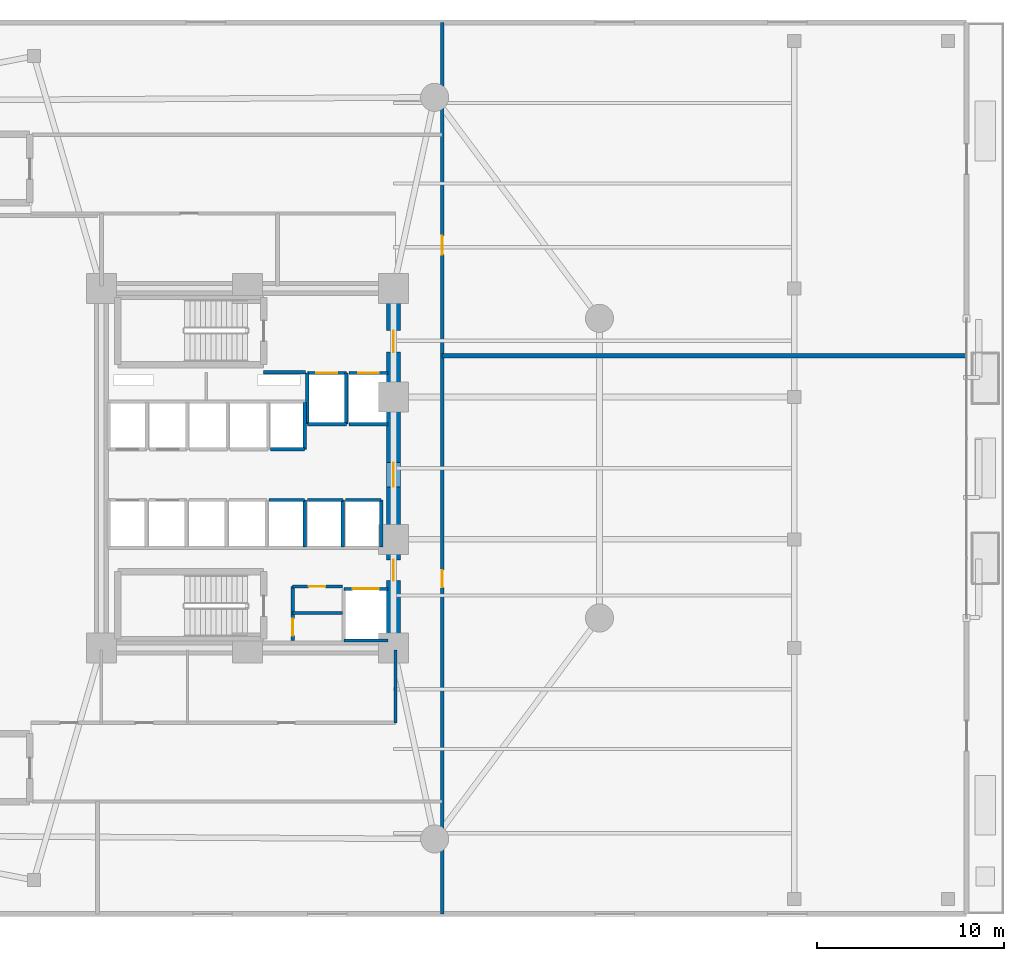
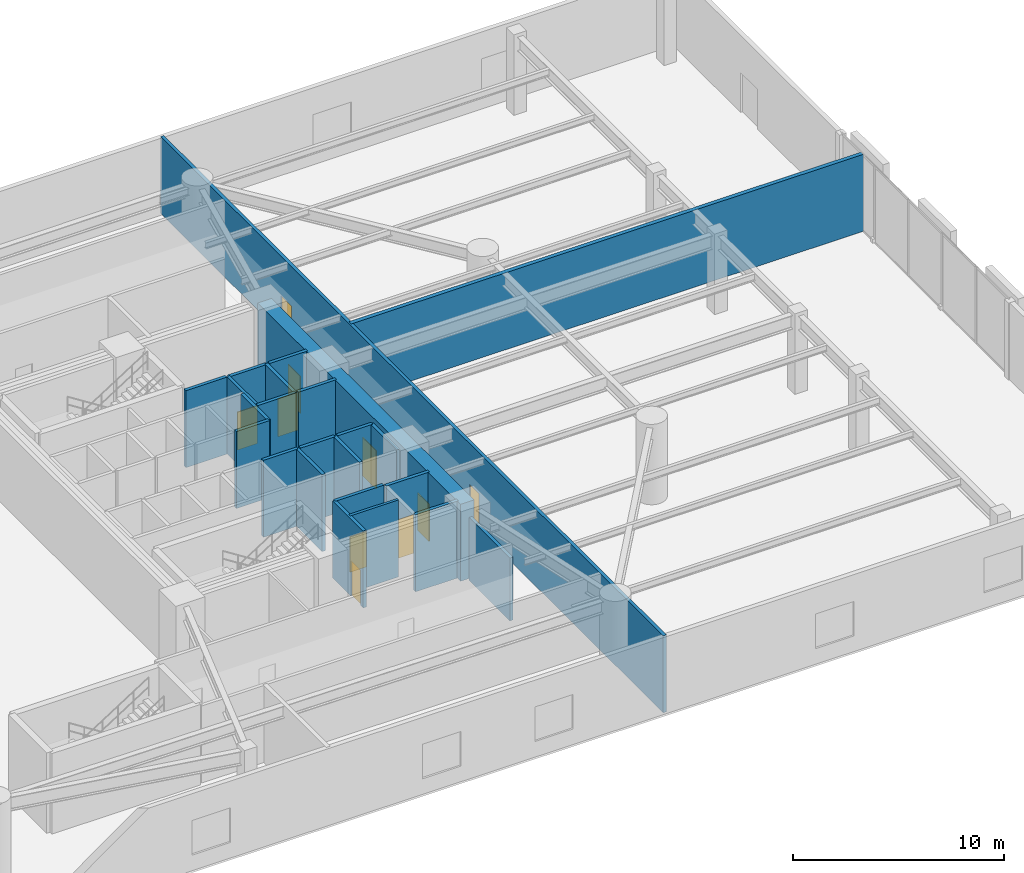
# One storey, part 10 of 15: 24 walls, 10 doors, 10 openings.
"""IFC4 building model written with IfcOpenShell, lengths in metres."""

import ifcopenshell
import ifcopenshell.guid

model = None  # the IFC model being written
_history = None  # IfcOwnerHistory: only IFC2X3 demands one
_inside = {}  # id of a spatial element -> (the spatial element, [elements in it])
_under = {}  # id of a project, library or spatial element -> (it, [spatial elements below it])
_declared = {}  # id of a project -> (the project, [libraries it declares])
_typed = {}  # id of a type object -> (the type object, [elements of that type])
_made_of = {}  # id of a material, layer set ... -> (it, [elements and type objects made of it])


def new_model(schema):
    """Start an empty IFC model of exactly this schema.

    Asked for "IFC4X3", IfcOpenShell would pick the latest addendum, in which some entities
    have other attributes; the version numbers below select the first issue.
    IFC2X3 requires an IfcOwnerHistory on every rooted entity: one is made here for all.
    """
    global model, _history
    if schema == "IFC4X3":
        model = ifcopenshell.file(schema_version=(4, 3, 0, 0))
    else:
        model = ifcopenshell.file(schema=schema)
    _inside.clear()
    _under.clear()
    _declared.clear()
    _typed.clear()
    _made_of.clear()
    _history = None
    if model.schema == "IFC2X3":
        org = make("IfcOrganization", Name="unknown")
        user = make(
            "IfcPersonAndOrganization",
            ThePerson=make("IfcPerson", FamilyName="unknown"),
            TheOrganization=org,
        )
        app = make(
            "IfcApplication",
            ApplicationDeveloper=org,
            Version="unknown",
            ApplicationFullName="unknown",
            ApplicationIdentifier="unknown",
        )
        _history = make(
            "IfcOwnerHistory",
            OwningUser=user,
            OwningApplication=app,
            ChangeAction="ADDED",
            CreationDate=0,
        )
    return model


def make(cls, **values):
    """One entity of the class cls with the attributes given. An attribute that is None is left unset."""
    return model.create_entity(
        cls, **{name: value for name, value in values.items() if value is not None}
    )


def rooted(cls, **values):
    """An entity with a GlobalId (a new one), such as an element, a storey or a relation."""
    return make(cls, GlobalId=ifcopenshell.guid.new(), OwnerHistory=_history, **values)


def si_unit(unit_type, name, prefix=None):
    """IfcSIUnit, for example si_unit("LENGTHUNIT", "METRE", prefix="MILLI")."""
    return make("IfcSIUnit", UnitType=unit_type, Prefix=prefix, Name=name)


def assignment(units):
    """IfcUnitAssignment: the units of a project."""
    return None if units is None else make("IfcUnitAssignment", Units=units)


def point(xyz):
    """IfcCartesianPoint."""
    return None if xyz is None else make("IfcCartesianPoint", Coordinates=xyz)


def direction(xyz):
    """IfcDirection."""
    return None if xyz is None else make("IfcDirection", DirectionRatios=xyz)


def frame(location, z_axis=None, x_axis=None):
    """IfcAxis2Placement3D, a coordinate frame: its origin and axes. An axis left out is left unset."""
    return make(
        "IfcAxis2Placement3D",
        Location=point(location),
        Axis=direction(z_axis),
        RefDirection=direction(x_axis),
    )


def frame_2d(location, x_axis=None):
    """IfcAxis2Placement2D, a coordinate frame in the plane: its origin and x axis."""
    return make(
        "IfcAxis2Placement2D", Location=point(location), RefDirection=direction(x_axis)
    )


def origin():
    """The frame at (0, 0, 0) with its axes left unset."""
    return frame((0.0, 0.0, 0.0))


def place(relative_to, where):
    """IfcLocalPlacement: puts the frame where relative to a parent placement (None: the world)."""
    return make(
        "IfcLocalPlacement", PlacementRelTo=relative_to, RelativePlacement=where
    )


def context(
    kind, dimensions, precision=None, world=None, true_north=None, identifier=None
):
    """IfcGeometricRepresentationContext, for example the 3D "Model" context."""
    return make(
        "IfcGeometricRepresentationContext",
        ContextIdentifier=identifier,
        ContextType=kind,
        CoordinateSpaceDimension=dimensions,
        Precision=precision,
        WorldCoordinateSystem=world,
        TrueNorth=true_north,
    )


def subcontext(parent, identifier, kind, view, scale=None):
    """IfcGeometricRepresentationSubContext, for example "Body" below "Model"."""
    return make(
        "IfcGeometricRepresentationSubContext",
        ContextIdentifier=identifier,
        ContextType=kind,
        ParentContext=parent,
        TargetScale=scale,
        TargetView=view,
    )


def project(units=None, contexts=None):
    """IfcProject with its units and contexts."""
    return rooted(
        "IfcProject",
        Name="project",
        RepresentationContexts=contexts,
        UnitsInContext=assignment(units),
    )


def spatial(cls, under=None, at=None, **own):
    """A site, building, storey or space (cls), placed at a placement, below another one or the project."""
    s = rooted(cls, ObjectPlacement=at, **own)
    if under is not None:
        _under.setdefault(under.id(), (under, []))[1].append(s)
    return s


def profile(cls, at=None, kind="AREA", **sizes):
    """A parametric profile (cls). Its sizes go by their IFC names, for example OverallWidth=200.0."""
    return make(cls, ProfileType=kind, Position=at, **sizes)


def rectangle(**sizes):
    """IfcRectangleProfileDef."""
    return profile("IfcRectangleProfileDef", **sizes)


def extrude(swept, where, along, depth):
    """IfcExtrudedAreaSolid: the profile swept, set in the frame where, extruded along a direction by depth."""
    return make(
        "IfcExtrudedAreaSolid",
        SweptArea=swept,
        Position=where,
        ExtrudedDirection=direction(along),
        Depth=depth,
    )


def shape(context_of_items, identifier, shape_type, items):
    """IfcShapeRepresentation: the items that make up one representation, for example the "Body"."""
    return make(
        "IfcShapeRepresentation",
        ContextOfItems=context_of_items,
        RepresentationIdentifier=identifier,
        RepresentationType=shape_type,
        Items=items,
    )


def material(Name=None, Category=None):
    """IfcMaterial."""
    return make("IfcMaterial", Name=Name, Category=Category)


def layer(
    of_material, thickness, ventilated=None, Name=None, Category=None, Priority=None
):
    """IfcMaterialLayer: one layer of a wall or slab, of a material (None: an air gap)."""
    return make(
        "IfcMaterialLayer",
        Material=of_material,
        LayerThickness=thickness,
        IsVentilated=ventilated,
        Name=Name,
        Category=Category,
        Priority=Priority,
    )


def layer_set(layers, Name=None):
    """IfcMaterialLayerSet."""
    return make("IfcMaterialLayerSet", MaterialLayers=layers, LayerSetName=Name)


def made_of(thing, what):
    """Note that an element or type object is made of a material, layer set ...; save() writes the relation."""
    if what is not None:
        _made_of.setdefault(what.id(), (what, []))[1].append(thing)
    return thing


def type_object(cls, material=None, **own):
    """A type object (cls), such as IfcWallType, which elements share."""
    return made_of(rooted(cls, **own), material)


def element(
    cls,
    number,
    at=None,
    inside=None,
    cuts=None,
    type_object=None,
    material=None,
    context=None,
    identifier="Body",
    shape_type=None,
    held_by="IfcProductDefinitionShape",
    body=None,
    shapes=None,
    **own,
):
    """One element of the class cls, such as IfcWall. Its Tag is "e" and its number.

    at: its placement. inside: the storey or other place that contains it. cuts: it is an
    opening in that element (IfcRelVoidsElement). A single representation is given by context,
    identifier, shape_type and body (its items); several are given by shapes. held_by: the class
    of the entity that holds the representations. save() writes the other relations.
    """
    e = rooted(cls, Tag="e%d" % number, ObjectPlacement=at, **own)
    if body is not None:
        shapes = [shape(context, identifier, shape_type, body)]
    if shapes is not None:
        e.Representation = make(held_by, Representations=shapes)
    if inside is not None:
        _inside.setdefault(inside.id(), (inside, []))[1].append(e)
    if cuts is not None:
        rooted(
            "IfcRelVoidsElement", RelatingBuildingElement=cuts, RelatedOpeningElement=e
        )
    if type_object is not None:
        _typed.setdefault(type_object.id(), (type_object, []))[1].append(e)
    return made_of(e, material)


def fill(opening, filler):
    """IfcRelFillsElement: the door or window that sits in an opening."""
    return rooted(
        "IfcRelFillsElement",
        RelatingOpeningElement=opening,
        RelatedBuildingElement=filler,
    )


def aggregate(whole, parts):
    """IfcRelAggregates: a whole, such as a stair, and the parts it consists of."""
    return rooted("IfcRelAggregates", RelatingObject=whole, RelatedObjects=parts)


def save(model, path):
    """Write the relations noted so far, then the file.

    IfcRelAggregates (storeys below a building ...), IfcRelContainedInSpatialStructure (elements
    in a storey), IfcRelDefinesByType, IfcRelAssociatesMaterial and IfcRelDeclares: one each for
    every whole, place, type object, material and project.
    """
    for whole, parts in _under.values():
        aggregate(whole, parts)
    for where, things in _inside.values():
        rooted(
            "IfcRelContainedInSpatialStructure",
            RelatedElements=things,
            RelatingStructure=where,
        )
    for kind, things in _typed.values():
        rooted("IfcRelDefinesByType", RelatedObjects=things, RelatingType=kind)
    for what, things in _made_of.values():
        rooted("IfcRelAssociatesMaterial", RelatedObjects=things, RelatingMaterial=what)
    for by, libraries in _declared.values():
        rooted("IfcRelDeclares", RelatingContext=by, RelatedDefinitions=libraries)
    model.write(path)


model = new_model("IFC4")

# Units and contexts
model_context = context("Model", 3, precision=1e-05, world=origin(), true_north=direction((0.0, 1.0)))
body_context = subcontext(model_context, "Body", "Model", "MODEL_VIEW")
ifc_project = project(units=[si_unit("LENGTHUNIT", "METRE"), si_unit("AREAUNIT", "SQUARE_METRE"), si_unit("VOLUMEUNIT", "CUBIC_METRE"), si_unit("PLANEANGLEUNIT", "RADIAN"), si_unit("MASSUNIT", "GRAM", prefix="KILO")], contexts=[model_context])

# Site, building, storey
site_placement = place(None, origin())
site = spatial("IfcSite", under=ifc_project, at=site_placement, CompositionType="ELEMENT")
building_placement = place(site_placement, origin())
building = spatial("IfcBuilding", under=site, at=building_placement, Name="An Khanh Terracotta Commons", CompositionType="ELEMENT")
storey_placement = place(building_placement, frame((0.0, 0.0, 14.699951171875)))
storey = spatial("IfcBuildingStorey", under=building, at=storey_placement, Name="L04", CompositionType="ELEMENT", Elevation=14.699951171875)

# Wall, openings, doors
ifc_material_1 = material(Name="Concrete C70/85", Category="concrete")
ifc_layer_1 = layer(ifc_material_1, 0.75, Name="Concrete C70/85")
ifc_layer_set_1 = layer_set([ifc_layer_1], Name="Concrete C70/85")
wall_type_1 = type_object("IfcWallType", Name="WALL-CORE-750", PredefinedType="SHEAR", material=ifc_layer_set_1)
wall_1_placement = place(storey_placement, frame((37.199951171875, 14.39990234375, 0.0), z_axis=(0.0, 0.0, 1.0), x_axis=(0.0, 1.0, 0.0)))
wall_1 = element("IfcWall", 1, at=wall_1_placement, inside=storey, type_object=wall_type_1, Name="L04 Core Wall CWALL-L04-E", PredefinedType="SHEAR", context=body_context, shape_type="SweptSolid", body=[
    extrude(rectangle(XDim=19.2001953125, YDim=0.75, at=frame_2d((9.60009765625, 0.0))), origin(), (0.0, 0.0, 1.0), 4.449951171875),
])
opening_1_placement = place(wall_1_placement, frame((15.800048828125, 0.0, 0.0)))
opening_1 = element("IfcOpeningElement", 2, at=opening_1_placement, cuts=wall_1, Name="Opening D-FFL", PredefinedType="OPENING", context=body_context, shape_type="SweptSolid", body=[
    extrude(rectangle(XDim=1.14990234375, YDim=2.14990234375, at=frame_2d((0.574951171875, 1.074951171875))), frame((0.0, 0.385009765625, 0.0), z_axis=(0.0, -1.0, 0.0), x_axis=(1.0, 0.0, 0.0)), (0.0, 0.0, 1.0), 0.77001953125),
])
opening_2_placement = place(wall_1_placement, frame((3.60009765625, 0.0, 0.0)))
opening_2 = element("IfcOpeningElement", 3, at=opening_2_placement, cuts=wall_1, Name="Opening D-ST", PredefinedType="OPENING", context=body_context, shape_type="SweptSolid", body=[
    extrude(rectangle(XDim=1.10009765625, YDim=2.14990234375, at=frame_2d((0.550048828125, 1.074951171875))), frame((0.0, 0.385009765625, 0.0), z_axis=(0.0, -1.0, 0.0), x_axis=(1.0, 0.0, 0.0)), (0.0, 0.0, 1.0), 0.77001953125),
])
opening_3_placement = place(wall_1_placement, frame((8.60009765625, 0.0, 0.0)))
opening_3 = element("IfcOpeningElement", 4, at=opening_3_placement, cuts=wall_1, Name="Opening D-COR", PredefinedType="OPENING", context=body_context, shape_type="SweptSolid", body=[
    extrude(rectangle(XDim=1.300048828125, YDim=2.199951171875, at=frame_2d((0.64990234375, 1.10009765625))), frame((0.0, 0.385009765625, 0.0), z_axis=(0.0, -1.0, 0.0), x_axis=(1.0, 0.0, 0.0)), (0.0, 0.0, 1.0), 0.77001953125),
])
ifc_material_2 = material(Name="Fire-Rated Glazed Steel Double Door", Category="steel")
door_type_1 = type_object("IfcDoorType", Name="DOOR-CORR-1300", OperationType="NOTDEFINED", PredefinedType="DOOR", material=ifc_material_2)
door_1_placement = place(opening_3_placement, origin())
door_1 = element("IfcDoor", 5, at=door_1_placement, inside=storey, type_object=door_type_1, Name="L04 Passenger Lift Lobby Double Door", OperationType="DOUBLE_DOOR_SINGLE_SWING", OverallHeight=2.199951171875, OverallWidth=1.300048828125, PredefinedType="DOOR", context=body_context, shape_type="SweptSolid", body=[
    extrude(rectangle(XDim=1.300048828125, YDim=2.199951171875, at=frame_2d((0.64990234375, 1.10009765625))), frame((0.0, 0.02490234375, 0.0), z_axis=(0.0, -1.0, 0.0), x_axis=(1.0, 0.0, 0.0)), (0.0, 0.0, 1.0), 0.050048828125),
])
fill(opening_3, door_1)
ifc_material_3 = material(Name="Fire-Rated Steel Leaf and Vision Panel", Category="steel")
door_type_2 = type_object("IfcDoorType", Name="DOOR-FFL-1150", OperationType="NOTDEFINED", PredefinedType="DOOR", material=ifc_material_3)
door_2_placement = place(opening_1_placement, origin())
door_2 = element("IfcDoor", 6, at=door_2_placement, inside=storey, type_object=door_type_2, Name="L04 Firefighting Lift Lobby Fire Door", OperationType="SINGLE_SWING_RIGHT", OverallHeight=2.14990234375, OverallWidth=1.14990234375, PredefinedType="DOOR", context=body_context, shape_type="SweptSolid", body=[
    extrude(rectangle(XDim=1.14990234375, YDim=2.14990234375, at=frame_2d((0.574951171875, 1.074951171875))), frame((0.0, 0.02490234375, 0.0), z_axis=(0.0, -1.0, 0.0), x_axis=(1.0, 0.0, 0.0)), (0.0, 0.0, 1.0), 0.050048828125),
])
fill(opening_1, door_2)
ifc_material_4 = material(Name="Fire-Rated Steel Leaf and Frame", Category="steel")
door_type_3 = type_object("IfcDoorType", Name="DOOR-STAIR-1100", OperationType="NOTDEFINED", PredefinedType="DOOR", material=ifc_material_4)
door_3_placement = place(opening_2_placement, origin())
door_3 = element("IfcDoor", 7, at=door_3_placement, inside=storey, type_object=door_type_3, Name="L04 South Stair Lobby Fire Door", OperationType="SINGLE_SWING_LEFT", OverallHeight=2.14990234375, OverallWidth=1.10009765625, PredefinedType="DOOR", context=body_context, shape_type="SweptSolid", body=[
    extrude(rectangle(XDim=1.10009765625, YDim=2.14990234375, at=frame_2d((0.550048828125, 1.074951171875))), frame((0.0, 0.02490234375, 0.0), z_axis=(0.0, -1.0, 0.0), x_axis=(1.0, 0.0, 0.0)), (0.0, 0.0, 1.0), 0.050048828125),
])
fill(opening_2, door_3)

# Wall
ifc_material_5 = material(Name="Fire-Rated Gypsum Board on Steel Stud", Category="steel")
ifc_layer_2 = layer(ifc_material_5, 0.179931640625, Name="Fire-Rated Gypsum Board on Steel Stud")
ifc_layer_set_2 = layer_set([ifc_layer_2], Name="Fire-Rated Gypsum Board on Steel Stud")
wall_type_2 = type_object("IfcWallType", Name="WALL-CORR-180", PredefinedType="PARTITIONING", material=ifc_layer_set_2)
wall_2_placement = place(storey_placement, frame((30.27001953125, 29.1201171875, 0.0), z_axis=(0.0, 0.0, 1.0), x_axis=(1.0, 0.0, 0.0)))
element("IfcWall", 8, at=wall_2_placement, inside=storey, type_object=wall_type_2, Name="L04 Core Wall FFLW-L04-S", PredefinedType="PARTITIONING", context=body_context, shape_type="SweptSolid", body=[
    extrude(rectangle(XDim=2.239990234375, YDim=0.179931640625, at=frame_2d((1.1201171875, 0.0))), origin(), (0.0, 0.0, 1.0), 4.449951171875),
])

# Wall, opening, door
wall_3_placement = place(storey_placement, frame((31.820068359375, 17.679931640625, 0.0), z_axis=(0.0, 0.0, 1.0), x_axis=(1.0, 0.0, 0.0)))
wall_3 = element("IfcWall", 9, at=wall_3_placement, inside=storey, type_object=wall_type_2, Name="L04 Core Wall SSVCW-L04-N", PredefinedType="PARTITIONING", context=body_context, shape_type="SweptSolid", body=[
    extrude(rectangle(XDim=2.659912109375, YDim=0.179931640625, at=frame_2d((1.330078125, 0.0))), origin(), (0.0, 0.0, 1.0), 4.449951171875),
])
opening_4_placement = place(wall_3_placement, frame((0.85009765625, 0.0, 0.0)))
opening_4 = element("IfcOpeningElement", 10, at=opening_4_placement, cuts=wall_3, Name="Opening D-SV", PredefinedType="OPENING", context=body_context, shape_type="SweptSolid", body=[
    extrude(rectangle(XDim=0.89990234375, YDim=2.050048828125, at=frame_2d((0.449951171875, 1.02490234375))), frame((0.0, 0.099853515625, 0.0), z_axis=(0.0, -1.0, 0.0), x_axis=(1.0, 0.0, 0.0)), (0.0, 0.0, 1.0), 0.199951171875),
])
ifc_material_6 = material(Name="Fire-Rated Powder-Coated Steel Door", Category="steel")
door_type_4 = type_object("IfcDoorType", Name="DOOR-SERV-900", OperationType="NOTDEFINED", PredefinedType="DOOR", material=ifc_material_6)
door_4_placement = place(opening_4_placement, origin())
door_4 = element("IfcDoor", 11, at=door_4_placement, inside=storey, type_object=door_type_4, Name="L04 Core Cleaner Store Door", OperationType="SINGLE_SWING_RIGHT", OverallHeight=2.050048828125, OverallWidth=0.89990234375, PredefinedType="DOOR", context=body_context, shape_type="SweptSolid", body=[
    extrude(rectangle(XDim=0.89990234375, YDim=2.050048828125, at=frame_2d((0.449951171875, 1.02490234375))), frame((0.0, 0.02490234375, 0.0), z_axis=(0.0, -1.0, 0.0), x_axis=(1.0, 0.0, 0.0)), (0.0, 0.0, 1.0), 0.050048828125),
])
fill(opening_4, door_4)

wall_4_placement = place(storey_placement, frame((31.820068359375, 14.800048828125, 0.0), z_axis=(0.0, 0.0, 1.0), x_axis=(0.0, 1.0, 0.0)))
wall_4 = element("IfcWall", 12, at=wall_4_placement, inside=storey, type_object=wall_type_2, Name="L04 Core Wall SSVCW-L04-W", PredefinedType="PARTITIONING", context=body_context, shape_type="SweptSolid", body=[
    extrude(rectangle(XDim=2.8798828125, YDim=0.179931640625, at=frame_2d((1.43994140625, 0.0))), origin(), (0.0, 0.0, 1.0), 4.449951171875),
])
opening_5_placement = place(wall_4_placement, frame((0.260009765625, 0.0, 0.0)))
opening_5 = element("IfcOpeningElement", 13, at=opening_5_placement, cuts=wall_4, Name="Opening D-SV", PredefinedType="OPENING", context=body_context, shape_type="SweptSolid", body=[
    extrude(rectangle(XDim=0.89990234375, YDim=2.050048828125, at=frame_2d((0.449951171875, 1.02490234375))), frame((0.0, 0.099853515625, 0.0), z_axis=(0.0, -1.0, 0.0), x_axis=(1.0, 0.0, 0.0)), (0.0, 0.0, 1.0), 0.199951171875),
])
door_5_placement = place(opening_5_placement, origin())
door_5 = element("IfcDoor", 14, at=door_5_placement, inside=storey, type_object=door_type_4, Name="L04 Telecoms BMS Cupboard Door", OperationType="SINGLE_SWING_LEFT", OverallHeight=2.050048828125, OverallWidth=0.89990234375, PredefinedType="DOOR", context=body_context, shape_type="SweptSolid", body=[
    extrude(rectangle(XDim=0.89990234375, YDim=2.050048828125, at=frame_2d((0.449951171875, 1.02490234375))), frame((0.0, 0.02490234375, 0.0), z_axis=(0.0, -1.0, 0.0), x_axis=(1.0, 0.0, 0.0)), (0.0, 0.0, 1.0), 0.050048828125),
])
fill(opening_5, door_5)

wall_5_placement = place(storey_placement, frame((32.60009765625, 29.080078125, 0.0), z_axis=(0.0, 0.0, 1.0), x_axis=(1.0, 0.0, 0.0)))
wall_5 = element("IfcWall", 15, at=wall_5_placement, inside=storey, type_object=wall_type_2, Name="L04 Core Wall LSH-L04-FFL-01-N", PredefinedType="PARTITIONING", context=body_context, shape_type="SweptSolid", body=[
    extrude(rectangle(XDim=2.079833984375, YDim=0.179931640625, at=frame_2d((1.0400390625, 0.0))), origin(), (0.0, 0.0, 1.0), 4.449951171875),
])
opening_6_placement = place(wall_5_placement, frame((0.489990234375, 0.0, 0.0)))
opening_6 = element("IfcOpeningElement", 16, at=opening_6_placement, cuts=wall_5, Name="Opening LD-FFL-01-L04", PredefinedType="OPENING", context=body_context, shape_type="SweptSolid", body=[
    extrude(rectangle(XDim=1.10009765625, YDim=2.199951171875, at=frame_2d((0.550048828125, 1.10009765625))), frame((0.0, 0.099853515625, 0.0), z_axis=(0.0, -1.0, 0.0), x_axis=(1.0, 0.0, 0.0)), (0.0, 0.0, 1.0), 0.199951171875),
])
ifc_material_7 = material(Name="Brushed Stainless Steel Fire Landing Door", Category="steel")
door_type_5 = type_object("IfcDoorType", Name="DOOR-LD-FFL-1100", OperationType="NOTDEFINED", PredefinedType="DOOR", material=ifc_material_7)
door_6_placement = place(opening_6_placement, origin())
door_6 = element("IfcDoor", 17, at=door_6_placement, inside=storey, type_object=door_type_5, Name="L04 Lift FFL-01 Sliding Landing Door", OperationType="DOUBLE_DOOR_SLIDING", OverallHeight=2.199951171875, OverallWidth=1.10009765625, PredefinedType="DOOR", context=body_context, shape_type="SweptSolid", body=[
    extrude(rectangle(XDim=1.10009765625, YDim=2.199951171875, at=frame_2d((0.550048828125, 1.10009765625))), frame((0.0, 0.02490234375, 0.0), z_axis=(0.0, -1.0, 0.0), x_axis=(1.0, 0.0, 0.0)), (0.0, 0.0, 1.0), 0.050048828125),
])
fill(opening_6, door_6)

# Walls
wall_6_placement = place(storey_placement, frame((34.679931640625, 26.35009765625, 0.0), z_axis=(0.0, 0.0, 1.0), x_axis=(-1.0, 0.0, 0.0)))
element("IfcWall", 18, at=wall_6_placement, inside=storey, type_object=wall_type_2, Name="L04 Core Wall LSH-L04-FFL-01-S", PredefinedType="PARTITIONING", context=body_context, shape_type="SweptSolid", body=[
    extrude(rectangle(XDim=2.079833984375, YDim=0.179931640625, at=frame_2d((1.0400390625, 0.0))), origin(), (0.0, 0.0, 1.0), 4.449951171875),
])
for number, where, z_axis, x_axis, name in (
    (19, (34.679931640625, 26.35009765625, 0.0), (0.0, 0.0, 1.0), (0.0, 1.0, 0.0), "L04 Core Wall LSH-L04-FFL-01-E"),
    (20, (32.60009765625, 29.080078125, 0.0), (0.0, 0.0, 1.0), (0.0, -1.0, 0.0), "L04 Core Wall LSH-L04-FFL-01-W"),
):
    element("IfcWall", number, at=place(storey_placement, frame(where, z_axis=z_axis, x_axis=x_axis)), inside=storey, type_object=wall_type_2, Name=name, PredefinedType="PARTITIONING", context=body_context, shape_type="SweptSolid", body=[
        extrude(rectangle(XDim=2.72998046875, YDim=0.179931640625, at=frame_2d((1.364990234375, 0.0))), origin(), (0.0, 0.0, 1.0), 4.449951171875),
    ])

# Wall, opening, door
wall_7_placement = place(storey_placement, frame((34.820068359375, 29.080078125, 0.0), z_axis=(0.0, 0.0, 1.0), x_axis=(1.0, 0.0, 0.0)))
wall_7 = element("IfcWall", 21, at=wall_7_placement, inside=storey, type_object=wall_type_2, Name="L04 Core Wall LSH-L04-FFL-02-N", PredefinedType="PARTITIONING", context=body_context, shape_type="SweptSolid", body=[
    extrude(rectangle(XDim=2.079833984375, YDim=0.179931640625, at=frame_2d((1.0400390625, 0.0))), origin(), (0.0, 0.0, 1.0), 4.449951171875),
])
opening_7_placement = place(wall_7_placement, frame((0.489990234375, 0.0, 0.0)))
opening_7 = element("IfcOpeningElement", 22, at=opening_7_placement, cuts=wall_7, Name="Opening LD-FFL-02-L04", PredefinedType="OPENING", context=body_context, shape_type="SweptSolid", body=[
    extrude(rectangle(XDim=1.10009765625, YDim=2.199951171875, at=frame_2d((0.550048828125, 1.10009765625))), frame((0.0, 0.099853515625, 0.0), z_axis=(0.0, -1.0, 0.0), x_axis=(1.0, 0.0, 0.0)), (0.0, 0.0, 1.0), 0.199951171875),
])
door_7_placement = place(opening_7_placement, origin())
door_7 = element("IfcDoor", 23, at=door_7_placement, inside=storey, type_object=door_type_5, Name="L04 Lift FFL-02 Sliding Landing Door", OperationType="DOUBLE_DOOR_SLIDING", OverallHeight=2.199951171875, OverallWidth=1.10009765625, PredefinedType="DOOR", context=body_context, shape_type="SweptSolid", body=[
    extrude(rectangle(XDim=1.10009765625, YDim=2.199951171875, at=frame_2d((0.550048828125, 1.10009765625))), frame((0.0, 0.02490234375, 0.0), z_axis=(0.0, -1.0, 0.0), x_axis=(1.0, 0.0, 0.0)), (0.0, 0.0, 1.0), 0.050048828125),
])
fill(opening_7, door_7)

# Wall
wall_8_placement = place(storey_placement, frame((36.89990234375, 26.35009765625, 0.0), z_axis=(0.0, 0.0, 1.0), x_axis=(-1.0, 0.0, 0.0)))
element("IfcWall", 24, at=wall_8_placement, inside=storey, type_object=wall_type_2, Name="L04 Core Wall LSH-L04-FFL-02-S", PredefinedType="PARTITIONING", context=body_context, shape_type="SweptSolid", body=[
    extrude(rectangle(XDim=2.079833984375, YDim=0.179931640625, at=frame_2d((1.0400390625, 0.0))), origin(), (0.0, 0.0, 1.0), 4.449951171875),
])

# Wall, opening, door
wall_9_placement = place(storey_placement, frame((34.550048828125, 17.550048828125, 0.0), z_axis=(0.0, 0.0, 1.0), x_axis=(1.0, 0.0, 0.0)))
wall_9 = element("IfcWall", 25, at=wall_9_placement, inside=storey, type_object=wall_type_2, Name="L04 Core Wall LSH-L04-SVL-01-N", PredefinedType="PARTITIONING", context=body_context, shape_type="SweptSolid", body=[
    extrude(rectangle(XDim=2.349853515625, YDim=0.179931640625, at=frame_2d((1.1748046875, 0.0))), origin(), (0.0, 0.0, 1.0), 4.449951171875),
])
opening_8_placement = place(wall_9_placement, frame((0.47509765625, 0.0, 0.0)))
opening_8 = element("IfcOpeningElement", 26, at=opening_8_placement, cuts=wall_9, Name="Opening LD-SVL-01-L04", PredefinedType="OPENING", context=body_context, shape_type="SweptSolid", body=[
    extrude(rectangle(XDim=1.39990234375, YDim=2.300048828125, at=frame_2d((0.699951171875, 1.14990234375))), frame((0.0, 0.099853515625, 0.0), z_axis=(0.0, -1.0, 0.0), x_axis=(1.0, 0.0, 0.0)), (0.0, 0.0, 1.0), 0.199951171875),
])
ifc_material_8 = material(Name="Heavy-Duty Stainless Steel Goods Landing Door", Category="steel")
door_type_6 = type_object("IfcDoorType", Name="DOOR-LD-SVL-1400", OperationType="NOTDEFINED", PredefinedType="DOOR", material=ifc_material_8)
door_8_placement = place(opening_8_placement, origin())
door_8 = element("IfcDoor", 27, at=door_8_placement, inside=storey, type_object=door_type_6, Name="L04 Lift SVL-01 Sliding Landing Door", OperationType="DOUBLE_DOOR_SLIDING", OverallHeight=2.300048828125, OverallWidth=1.39990234375, PredefinedType="DOOR", context=body_context, shape_type="SweptSolid", body=[
    extrude(rectangle(XDim=1.39990234375, YDim=2.300048828125, at=frame_2d((0.699951171875, 1.14990234375))), frame((0.0, 0.02490234375, 0.0), z_axis=(0.0, -1.0, 0.0), x_axis=(1.0, 0.0, 0.0)), (0.0, 0.0, 1.0), 0.050048828125),
])
fill(opening_8, door_8)

# Walls
wall_10_placement = place(storey_placement, frame((36.89990234375, 14.800048828125, 0.0), z_axis=(0.0, 0.0, 1.0), x_axis=(-1.0, 0.0, 0.0)))
element("IfcWall", 28, at=wall_10_placement, inside=storey, type_object=wall_type_2, Name="L04 Core Wall LSH-L04-SVL-01-S", PredefinedType="PARTITIONING", context=body_context, shape_type="SweptSolid", body=[
    extrude(rectangle(XDim=2.349853515625, YDim=0.179931640625, at=frame_2d((1.1748046875, 0.0))), origin(), (0.0, 0.0, 1.0), 4.449951171875),
])
wall_11_placement = place(storey_placement, frame((32.4599609375, 25.0, 0.0), z_axis=(0.0, 0.0, 1.0), x_axis=(-1.0, 0.0, 0.0)))
element("IfcWall", 29, at=wall_11_placement, inside=storey, type_object=wall_type_2, Name="L04 Core Wall LSH-L04-PL-H1-S", PredefinedType="PARTITIONING", context=body_context, shape_type="SweptSolid", body=[
    extrude(rectangle(XDim=1.820068359375, YDim=0.179931640625, at=frame_2d((0.91015625, 0.0))), origin(), (0.0, 0.0, 1.0), 4.449951171875),
])
wall_12_placement = place(storey_placement, frame((32.4599609375, 25.0, 0.0), z_axis=(0.0, 0.0, 1.0), x_axis=(0.0, 1.0, 0.0)))
element("IfcWall", 30, at=wall_12_placement, inside=storey, type_object=wall_type_2, Name="L04 Core Wall LSH-L04-PL-H1-E", PredefinedType="PARTITIONING", context=body_context, shape_type="SweptSolid", body=[
    extrude(rectangle(XDim=2.5, YDim=0.179931640625, at=frame_2d((1.25, 0.0))), origin(), (0.0, 0.0, 1.0), 4.449951171875),
])
wall_13_placement = place(storey_placement, frame((30.56005859375, 22.300048828125, 0.0), z_axis=(0.0, 0.0, 1.0), x_axis=(1.0, 0.0, 0.0)))
element("IfcWall", 31, at=wall_13_placement, inside=storey, type_object=wall_type_2, Name="L04 Core Wall LSH-L04-PL-H2-N", PredefinedType="PARTITIONING", context=body_context, shape_type="SweptSolid", body=[
    extrude(rectangle(XDim=1.89990234375, YDim=0.179931640625, at=frame_2d((0.949951171875, 0.0))), origin(), (0.0, 0.0, 1.0), 4.449951171875),
])
wall_14_placement = place(storey_placement, frame((32.4599609375, 19.800048828125, 0.0), z_axis=(0.0, 0.0, 1.0), x_axis=(0.0, 1.0, 0.0)))
element("IfcWall", 32, at=wall_14_placement, inside=storey, type_object=wall_type_2, Name="L04 Core Wall LSH-L04-PL-H2-E", PredefinedType="PARTITIONING", context=body_context, shape_type="SweptSolid", body=[
    extrude(rectangle(XDim=2.5, YDim=0.179931640625, at=frame_2d((1.25, 0.0))), origin(), (0.0, 0.0, 1.0), 4.449951171875),
])
wall_15_placement = place(storey_placement, frame((32.60009765625, 22.300048828125, 0.0), z_axis=(0.0, 0.0, 1.0), x_axis=(1.0, 0.0, 0.0)))
element("IfcWall", 33, at=wall_15_placement, inside=storey, type_object=wall_type_2, Name="L04 Core Wall LSH-L04-PL-H3-N", PredefinedType="PARTITIONING", context=body_context, shape_type="SweptSolid", body=[
    extrude(rectangle(XDim=1.89990234375, YDim=0.179931640625, at=frame_2d((0.949951171875, 0.0))), origin(), (0.0, 0.0, 1.0), 4.449951171875),
])
wall_16_placement = place(storey_placement, frame((34.5, 19.800048828125, 0.0), z_axis=(0.0, 0.0, 1.0), x_axis=(0.0, 1.0, 0.0)))
element("IfcWall", 34, at=wall_16_placement, inside=storey, type_object=wall_type_2, Name="L04 Core Wall LSH-L04-PL-H3-E", PredefinedType="PARTITIONING", context=body_context, shape_type="SweptSolid", body=[
    extrude(rectangle(XDim=2.5, YDim=0.179931640625, at=frame_2d((1.25, 0.0))), origin(), (0.0, 0.0, 1.0), 4.449951171875),
])
wall_17_placement = place(storey_placement, frame((34.639892578125, 22.300048828125, 0.0), z_axis=(0.0, 0.0, 1.0), x_axis=(1.0, 0.0, 0.0)))
element("IfcWall", 35, at=wall_17_placement, inside=storey, type_object=wall_type_2, Name="L04 Core Wall LSH-L04-PL-H4-N", PredefinedType="PARTITIONING", context=body_context, shape_type="SweptSolid", body=[
    extrude(rectangle(XDim=1.900146484375, YDim=0.179931640625, at=frame_2d((0.9501953125, 0.0))), origin(), (0.0, 0.0, 1.0), 4.449951171875),
])
wall_18_placement = place(storey_placement, frame((36.5400390625, 19.800048828125, 0.0), z_axis=(0.0, 0.0, 1.0), x_axis=(0.0, 1.0, 0.0)))
element("IfcWall", 36, at=wall_18_placement, inside=storey, type_object=wall_type_2, Name="L04 Core Wall LSH-L04-PL-H4-E", PredefinedType="PARTITIONING", context=body_context, shape_type="SweptSolid", body=[
    extrude(rectangle(XDim=2.5, YDim=0.179931640625, at=frame_2d((1.25, 0.0))), origin(), (0.0, 0.0, 1.0), 4.449951171875),
])
wall_19_placement = place(storey_placement, frame((37.31005859375, 10.39990234375, 0.0), z_axis=(0.0, 0.0, 1.0), x_axis=(0.0, 1.0, 0.0)))
element("IfcWall", 37, at=wall_19_placement, inside=storey, type_object=wall_type_2, Name="L04 Interior Partition IW-L04-E012", PredefinedType="PARTITIONING", context=body_context, shape_type="SweptSolid", body=[
    extrude(rectangle(XDim=3.880126953125, YDim=0.179931640625, at=frame_2d((1.93994140625, 0.0))), origin(), (0.0, 0.0, 1.0), 3.632080078125),
])

# Wall, openings, doors
wall_20_placement = place(storey_placement, frame((39.800048828125, 0.199951171875, 0.0), z_axis=(0.0, 0.0, 1.0), x_axis=(0.0, 1.0, 0.0)))
wall_20 = element("IfcWall", 38, at=wall_20_placement, inside=storey, type_object=wall_type_2, Name="L04 Interior Partition IW-L04-E013", PredefinedType="PARTITIONING", context=body_context, shape_type="SweptSolid", body=[
    extrude(rectangle(XDim=47.60009765625, YDim=0.179931640625, at=frame_2d((23.800048828125, 0.0))), origin(), (0.0, 0.0, 1.0), 4.449951171875),
])
opening_9_placement = place(wall_20_placement, frame((17.43994140625, 0.0, 0.0)))
opening_9 = element("IfcOpeningElement", 39, at=opening_9_placement, cuts=wall_20, Name="Opening D-RM", PredefinedType="OPENING", context=body_context, shape_type="SweptSolid", body=[
    extrude(rectangle(XDim=0.919921875, YDim=2.10009765625, at=frame_2d((0.4599609375, 1.050048828125))), frame((0.0, 0.099853515625, 0.0), z_axis=(0.0, -1.0, 0.0), x_axis=(1.0, 0.0, 0.0)), (0.0, 0.0, 1.0), 0.199951171875),
])
opening_10_placement = place(wall_20_placement, frame((35.199951171875, 0.0, 0.0)))
opening_10 = element("IfcOpeningElement", 40, at=opening_10_placement, cuts=wall_20, Name="Opening D-UN", PredefinedType="OPENING", context=body_context, shape_type="SweptSolid", body=[
    extrude(rectangle(XDim=1.0, YDim=2.14990234375, at=frame_2d((0.5, 1.074951171875))), frame((0.0, 0.099853515625, 0.0), z_axis=(0.0, -1.0, 0.0), x_axis=(1.0, 0.0, 0.0)), (0.0, 0.0, 1.0), 0.199951171875),
])
ifc_material_9 = material(Name="Engineered Hardwood Timber Leaf", Category="wood")
door_type_7 = type_object("IfcDoorType", Name="DOOR-INT-920", OperationType="NOTDEFINED", PredefinedType="DOOR", material=ifc_material_9)
door_9_placement = place(opening_9_placement, origin())
door_9 = element("IfcDoor", 41, at=door_9_placement, inside=storey, type_object=door_type_7, Name="L04 FAB Digital Fabrication Lab Door", OperationType="SINGLE_SWING_LEFT", OverallHeight=2.10009765625, OverallWidth=0.919921875, PredefinedType="DOOR", context=body_context, shape_type="SweptSolid", body=[
    extrude(rectangle(XDim=0.919921875, YDim=2.10009765625, at=frame_2d((0.4599609375, 1.050048828125))), frame((0.0, 0.02490234375, 0.0), z_axis=(0.0, -1.0, 0.0), x_axis=(1.0, 0.0, 0.0)), (0.0, 0.0, 1.0), 0.050048828125),
])
fill(opening_9, door_9)
ifc_material_10 = material(Name="Solid-Core Hardwood Acoustic Fire Door", Category="wood")
door_type_8 = type_object("IfcDoorType", Name="DOOR-UNIT-1000", OperationType="NOTDEFINED", PredefinedType="DOOR", material=ifc_material_10)
door_10_placement = place(opening_10_placement, origin())
door_10 = element("IfcDoor", 42, at=door_10_placement, inside=storey, type_object=door_type_8, Name="L04 CRT Terrace Design Critique Studio Door", OperationType="SINGLE_SWING_RIGHT", OverallHeight=2.14990234375, OverallWidth=1.0, PredefinedType="DOOR", context=body_context, shape_type="SweptSolid", body=[
    extrude(rectangle(XDim=1.0, YDim=2.14990234375, at=frame_2d((0.5, 1.074951171875))), frame((0.0, 0.02490234375, 0.0), z_axis=(0.0, -1.0, 0.0), x_axis=(1.0, 0.0, 0.0)), (0.0, 0.0, 1.0), 0.050048828125),
])
fill(opening_10, door_10)

# Walls
ifc_material_11 = material(Name="Acoustic Gypsum Board Partition")
ifc_layer_3 = layer(ifc_material_11, 0.14990234375, Name="Acoustic Gypsum Board Partition")
ifc_layer_set_3 = layer_set([ifc_layer_3], Name="Acoustic Gypsum Board Partition")
wall_type_3 = type_object("IfcWallType", Name="WALL-PART-150", PredefinedType="PARTITIONING", material=ifc_layer_set_3)
wall_21_placement = place(storey_placement, frame((31.820068359375, 16.260009765625, 0.0), z_axis=(0.0, 0.0, 1.0), x_axis=(1.0, 0.0, 0.0)))
element("IfcWall", 43, at=wall_21_placement, inside=storey, type_object=wall_type_3, Name="L04 Core Wall SSVCW-L04-M", PredefinedType="PARTITIONING", context=body_context, shape_type="SweptSolid", body=[
    extrude(rectangle(XDim=2.659912109375, YDim=0.14990234375, at=frame_2d((1.330078125, 0.0))), origin(), (0.0, 0.0, 1.0), 4.449951171875),
])
ifc_material_12 = material(Name="Acoustic Double-Stud Gypsum and Mineral Wool")
ifc_layer_4 = layer(ifc_material_12, 0.219970703125, Name="Acoustic Double-Stud Gypsum and Mineral Wool")
ifc_layer_set_4 = layer_set([ifc_layer_4], Name="Acoustic Double-Stud Gypsum and Mineral Wool")
wall_type_4 = type_object("IfcWallType", Name="WALL-PARTY-220", PredefinedType="PARTITIONING", material=ifc_layer_set_4)
wall_22_placement = place(storey_placement, frame((39.800048828125, 30.0, 0.0), z_axis=(0.0, 0.0, 1.0), x_axis=(1.0, 0.0, 0.0)))
element("IfcWall", 44, at=wall_22_placement, inside=storey, type_object=wall_type_4, Name="L04 Interior Partition IW-L04-E003", PredefinedType="PARTITIONING", context=body_context, shape_type="SweptSolid", body=[
    extrude(rectangle(XDim=28.0, YDim=0.219970703125, at=frame_2d((14.0, 0.0))), origin(), (0.0, 0.0, 1.0), 4.449951171875),
])

save(model, "model.ifc")
